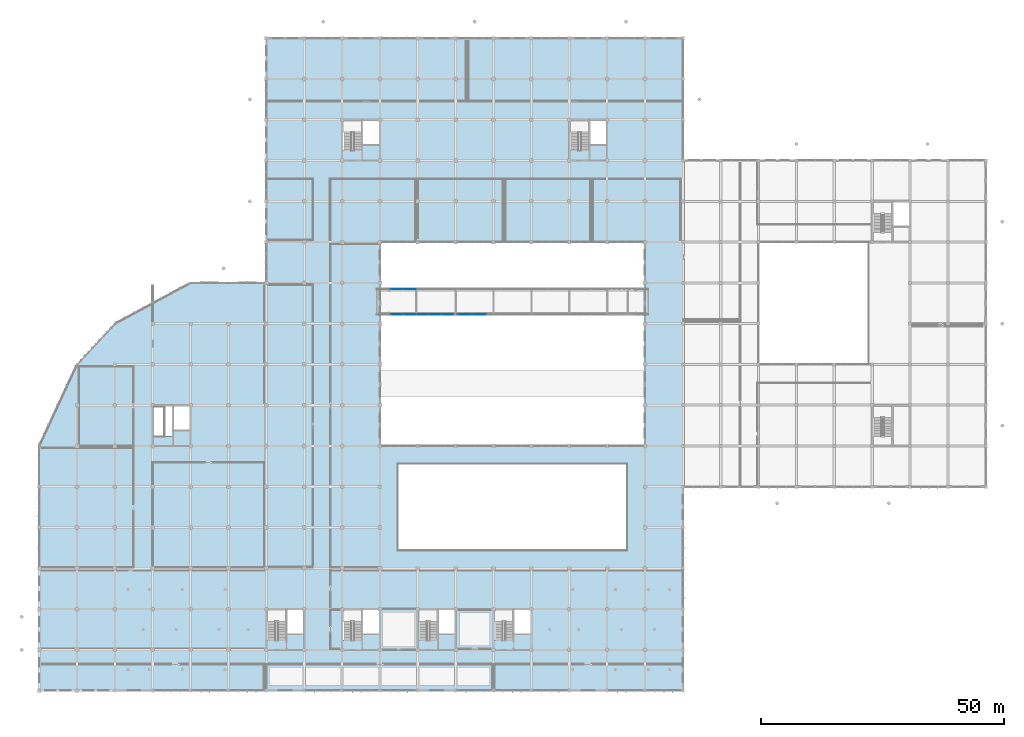
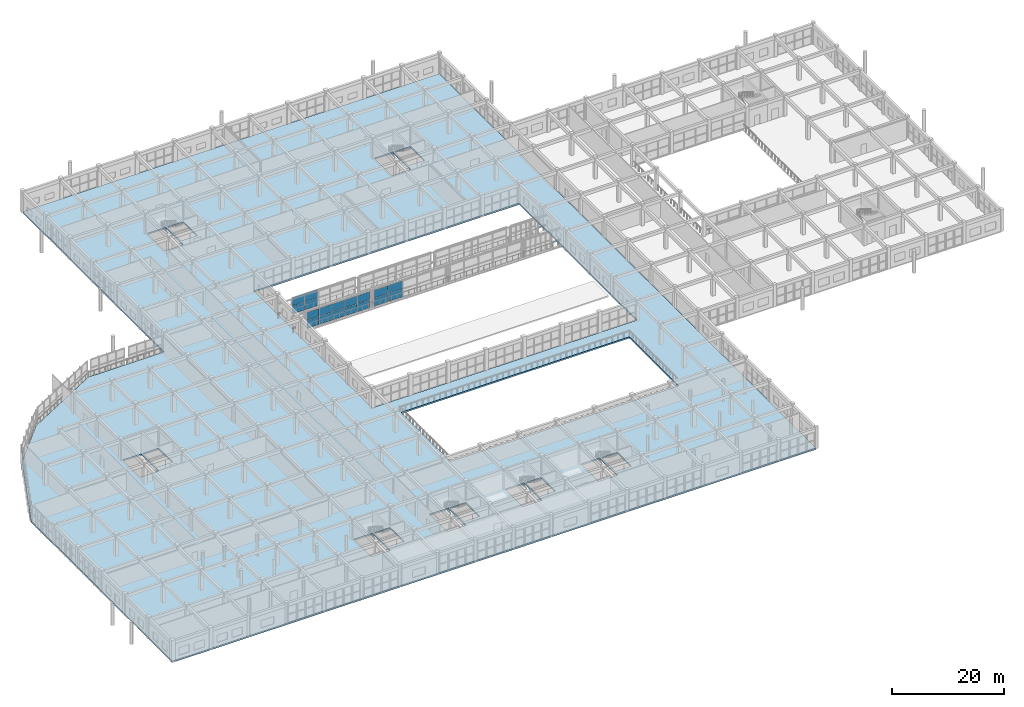
# One storey, part 136 of 167: 18 plates, 1 slab, 3 elements without a shape of their own.
"""IFC4 building model written with IfcOpenShell, lengths in metres."""

from ifc_helpers import new_model, si_unit, direction, frame, origin, origin_2d, place, context, subcontext, project, spatial, polyline, rectangle, outline, extrude, material, layer, layer_set, type_object, element, aggregate, save


model = new_model("IFC4")

# Units and contexts
model_context = context("Model", 3, precision=1e-05, world=origin(), true_north=direction((0.0, 1.0)))
body_context = subcontext(model_context, "Body", "Model", "MODEL_VIEW")
ifc_project = project(units=[si_unit("LENGTHUNIT", "METRE"), si_unit("AREAUNIT", "SQUARE_METRE"), si_unit("VOLUMEUNIT", "CUBIC_METRE"), si_unit("PLANEANGLEUNIT", "RADIAN"), si_unit("MASSUNIT", "GRAM", prefix="KILO")], contexts=[model_context])

# Site, building, storey
site_placement = place(None, origin())
site = spatial("IfcSite", under=ifc_project, at=site_placement, CompositionType="ELEMENT")
building_placement = place(site_placement, origin())
building = spatial("IfcBuilding", under=site, at=building_placement, Name="Zizhar Promenade General Hospital", CompositionType="ELEMENT")
storey_placement = place(building_placement, frame((0.0, 0.0, 9.60009765625)))
storey = spatial("IfcBuildingStorey", under=building, at=storey_placement, Name="L02", CompositionType="ELEMENT", Elevation=9.60009765625)

# Curtain wall, plates
ifc_material_1 = material(Name="Anodised aluminium 6063-T6 and low-E glass", Category="aluminium")
ifc_layer_1 = layer(ifc_material_1, 0.159912109375)
ifc_layer_set_1 = layer_set([ifc_layer_1], Name="Anodised aluminium 6063-T6 and low-E glass")
curtain_wall_type = type_object("IfcCurtainWallType", Name="CW-SKY-GLZ", PredefinedType="NOTDEFINED", material=ifc_layer_set_1)
curtain_wall_1_placement = place(storey_placement, origin())
curtain_wall_1 = element("IfcCurtainWall", 1, at=curtain_wall_1_placement, inside=storey, type_object=curtain_wall_type, Name="Courtyard Surgical-Clinic Skybridge Level L02 South Glazing 1", PredefinedType="NOTDEFINED")
ifc_material_2 = material(Name="Low-E solar-control glass", Category="glass")
ifc_layer_2 = layer(ifc_material_2, 0.031982421875)
ifc_layer_set_2 = layer_set([ifc_layer_2], Name="Low-E solar-control glass")
plate_type = type_object("IfcPlateType", Name="CWP-GLZ-32", PredefinedType="CURTAIN_PANEL", material=ifc_layer_set_2)
plate_1_placement = place(storey_placement, frame((84.0849609375, 77.5, 0.059814453125), z_axis=(0.0, 0.0, 1.0), x_axis=(-1.0, 0.0, 0.0)))
plate_1 = element("IfcPlate", 2, at=plate_1_placement, type_object=plate_type, Name="CW-15 panel 1.1", PredefinedType="CURTAIN_PANEL", context=body_context, shape_type="SweptSolid", body=[
    extrude(rectangle(XDim=2.510009765625, YDim=0.031982421875, at=origin_2d()), origin(), (0.0, 0.0, 1.0), 1.72998046875),
])
plate_2_placement = place(storey_placement, frame((84.0849609375, 77.5, 1.849853515625), z_axis=(0.0, 0.0, 1.0), x_axis=(-1.0, 0.0, 0.0)))
plate_2 = element("IfcPlate", 3, at=plate_2_placement, type_object=plate_type, Name="CW-15 panel 1.2", PredefinedType="CURTAIN_PANEL", context=body_context, shape_type="SweptSolid", body=[
    extrude(rectangle(XDim=2.510009765625, YDim=0.031982421875, at=origin_2d()), origin(), (0.0, 0.0, 1.0), 1.72998046875),
])
plate_3_placement = place(storey_placement, frame((81.5, 77.5, 0.059814453125), z_axis=(0.0, 0.0, 1.0), x_axis=(-1.0, 0.0, 0.0)))
plate_3 = element("IfcPlate", 4, at=plate_3_placement, type_object=plate_type, Name="CW-15 panel 2.1", PredefinedType="CURTAIN_PANEL", context=body_context, shape_type="SweptSolid", body=[
    extrude(rectangle(XDim=2.5400390625, YDim=0.031982421875, at=origin_2d()), origin(), (0.0, 0.0, 1.0), 1.72998046875),
])
plate_4_placement = place(storey_placement, frame((81.5, 77.5, 1.849853515625), z_axis=(0.0, 0.0, 1.0), x_axis=(-1.0, 0.0, 0.0)))
plate_4 = element("IfcPlate", 5, at=plate_4_placement, type_object=plate_type, Name="CW-15 panel 2.2", PredefinedType="CURTAIN_PANEL", context=body_context, shape_type="SweptSolid", body=[
    extrude(rectangle(XDim=2.5400390625, YDim=0.031982421875, at=origin_2d()), origin(), (0.0, 0.0, 1.0), 1.72998046875),
])
plate_5_placement = place(storey_placement, frame((78.89990234375, 77.5, 0.059814453125), z_axis=(0.0, 0.0, 1.0), x_axis=(-1.0, 0.0, 0.0)))
plate_5 = element("IfcPlate", 6, at=plate_5_placement, type_object=plate_type, Name="CW-15 panel 3.1", PredefinedType="CURTAIN_PANEL", context=body_context, shape_type="SweptSolid", body=[
    extrude(rectangle(XDim=2.5400390625, YDim=0.031982421875, at=origin_2d()), origin(), (0.0, 0.0, 1.0), 1.72998046875),
])
plate_6_placement = place(storey_placement, frame((78.89990234375, 77.5, 1.849853515625), z_axis=(0.0, 0.0, 1.0), x_axis=(-1.0, 0.0, 0.0)))
plate_6 = element("IfcPlate", 7, at=plate_6_placement, type_object=plate_type, Name="CW-15 panel 3.2", PredefinedType="CURTAIN_PANEL", context=body_context, shape_type="SweptSolid", body=[
    extrude(rectangle(XDim=2.5400390625, YDim=0.031982421875, at=origin_2d()), origin(), (0.0, 0.0, 1.0), 1.72998046875),
])
plate_7_placement = place(storey_placement, frame((76.300048828125, 77.5, 0.059814453125), z_axis=(0.0, 0.0, 1.0), x_axis=(-1.0, 0.0, 0.0)))
plate_7 = element("IfcPlate", 8, at=plate_7_placement, type_object=plate_type, Name="CW-15 panel 4.1", PredefinedType="CURTAIN_PANEL", context=body_context, shape_type="SweptSolid", body=[
    extrude(rectangle(XDim=2.5400390625, YDim=0.031982421875, at=origin_2d()), origin(), (0.0, 0.0, 1.0), 1.72998046875),
])
plate_8_placement = place(storey_placement, frame((76.300048828125, 77.5, 1.849853515625), z_axis=(0.0, 0.0, 1.0), x_axis=(-1.0, 0.0, 0.0)))
plate_8 = element("IfcPlate", 9, at=plate_8_placement, type_object=plate_type, Name="CW-15 panel 4.2", PredefinedType="CURTAIN_PANEL", context=body_context, shape_type="SweptSolid", body=[
    extrude(rectangle(XDim=2.5400390625, YDim=0.031982421875, at=origin_2d()), origin(), (0.0, 0.0, 1.0), 1.72998046875),
])
plate_9_placement = place(storey_placement, frame((73.715087890625, 77.5, 0.059814453125), z_axis=(0.0, 0.0, 1.0), x_axis=(-1.0, 0.0, 0.0)))
plate_9 = element("IfcPlate", 10, at=plate_9_placement, type_object=plate_type, Name="CW-15 panel 5.1", PredefinedType="CURTAIN_PANEL", context=body_context, shape_type="SweptSolid", body=[
    extrude(rectangle(XDim=2.510009765625, YDim=0.031982421875, at=origin_2d()), origin(), (0.0, 0.0, 1.0), 1.72998046875),
])
plate_10_placement = place(storey_placement, frame((73.715087890625, 77.5, 1.849853515625), z_axis=(0.0, 0.0, 1.0), x_axis=(-1.0, 0.0, 0.0)))
plate_10 = element("IfcPlate", 11, at=plate_10_placement, type_object=plate_type, Name="CW-15 panel 5.2", PredefinedType="CURTAIN_PANEL", context=body_context, shape_type="SweptSolid", body=[
    extrude(rectangle(XDim=2.510009765625, YDim=0.031982421875, at=origin_2d()), origin(), (0.0, 0.0, 1.0), 1.72998046875),
])
aggregate(curtain_wall_1, [plate_1, plate_2, plate_3, plate_4, plate_5, plate_6, plate_7, plate_8, plate_9, plate_10])

curtain_wall_2_placement = place(storey_placement, origin())
curtain_wall_2 = element("IfcCurtainWall", 12, at=curtain_wall_2_placement, inside=storey, type_object=curtain_wall_type, Name="Courtyard Surgical-Clinic Skybridge Level L02 North Glazing 1", PredefinedType="NOTDEFINED")
plate_11_placement = place(storey_placement, frame((73.715087890625, 82.699951171875, 0.059814453125), z_axis=(0.0, 0.0, 1.0), x_axis=(1.0, 0.0, 0.0)))
plate_11 = element("IfcPlate", 13, at=plate_11_placement, type_object=plate_type, Name="CW-15 panel 1.1", PredefinedType="CURTAIN_PANEL", context=body_context, shape_type="SweptSolid", body=[
    extrude(rectangle(XDim=2.510009765625, YDim=0.031982421875, at=origin_2d()), origin(), (0.0, 0.0, 1.0), 1.72998046875),
])
plate_12_placement = place(storey_placement, frame((73.715087890625, 82.699951171875, 1.849853515625), z_axis=(0.0, 0.0, 1.0), x_axis=(1.0, 0.0, 0.0)))
plate_12 = element("IfcPlate", 14, at=plate_12_placement, type_object=plate_type, Name="CW-15 panel 1.2", PredefinedType="CURTAIN_PANEL", context=body_context, shape_type="SweptSolid", body=[
    extrude(rectangle(XDim=2.510009765625, YDim=0.031982421875, at=origin_2d()), origin(), (0.0, 0.0, 1.0), 1.72998046875),
])
plate_13_placement = place(storey_placement, frame((76.300048828125, 82.699951171875, 0.059814453125), z_axis=(0.0, 0.0, 1.0), x_axis=(1.0, 0.0, 0.0)))
plate_13 = element("IfcPlate", 15, at=plate_13_placement, type_object=plate_type, Name="CW-15 panel 2.1", PredefinedType="CURTAIN_PANEL", context=body_context, shape_type="SweptSolid", body=[
    extrude(rectangle(XDim=2.5400390625, YDim=0.031982421875, at=origin_2d()), origin(), (0.0, 0.0, 1.0), 1.72998046875),
])
plate_14_placement = place(storey_placement, frame((76.300048828125, 82.699951171875, 1.849853515625), z_axis=(0.0, 0.0, 1.0), x_axis=(1.0, 0.0, 0.0)))
plate_14 = element("IfcPlate", 16, at=plate_14_placement, type_object=plate_type, Name="CW-15 panel 2.2", PredefinedType="CURTAIN_PANEL", context=body_context, shape_type="SweptSolid", body=[
    extrude(rectangle(XDim=2.5400390625, YDim=0.031982421875, at=origin_2d()), origin(), (0.0, 0.0, 1.0), 1.72998046875),
])
aggregate(curtain_wall_2, [plate_11, plate_12, plate_13, plate_14])

curtain_wall_3_placement = place(storey_placement, origin())
curtain_wall_3 = element("IfcCurtainWall", 17, at=curtain_wall_3_placement, inside=storey, type_object=curtain_wall_type, Name="Courtyard Surgical-Clinic Skybridge Level L02 South Glazing 2", PredefinedType="NOTDEFINED")
plate_15_placement = place(storey_placement, frame((90.639892578125, 77.5, 0.059814453125), z_axis=(0.0, 0.0, 1.0), x_axis=(-1.0, 0.0, 0.0)))
plate_15 = element("IfcPlate", 18, at=plate_15_placement, type_object=plate_type, Name="CW-15 panel 4.1", PredefinedType="CURTAIN_PANEL", context=body_context, shape_type="SweptSolid", body=[
    extrude(rectangle(XDim=2.89990234375, YDim=0.031982421875, at=origin_2d()), origin(), (0.0, 0.0, 1.0), 1.72998046875),
])
plate_16_placement = place(storey_placement, frame((90.639892578125, 77.5, 1.849853515625), z_axis=(0.0, 0.0, 1.0), x_axis=(-1.0, 0.0, 0.0)))
plate_16 = element("IfcPlate", 19, at=plate_16_placement, type_object=plate_type, Name="CW-15 panel 4.2", PredefinedType="CURTAIN_PANEL", context=body_context, shape_type="SweptSolid", body=[
    extrude(rectangle(XDim=2.89990234375, YDim=0.031982421875, at=origin_2d()), origin(), (0.0, 0.0, 1.0), 1.72998046875),
])
plate_17_placement = place(storey_placement, frame((87.695068359375, 77.5, 0.059814453125), z_axis=(0.0, 0.0, 1.0), x_axis=(-1.0, 0.0, 0.0)))
plate_17 = element("IfcPlate", 20, at=plate_17_placement, type_object=plate_type, Name="CW-15 panel 5.1", PredefinedType="CURTAIN_PANEL", context=body_context, shape_type="SweptSolid", body=[
    extrude(rectangle(XDim=2.8701171875, YDim=0.031982421875, at=origin_2d()), origin(), (0.0, 0.0, 1.0), 1.72998046875),
])
plate_18_placement = place(storey_placement, frame((87.695068359375, 77.5, 1.849853515625), z_axis=(0.0, 0.0, 1.0), x_axis=(-1.0, 0.0, 0.0)))
plate_18 = element("IfcPlate", 21, at=plate_18_placement, type_object=plate_type, Name="CW-15 panel 5.2", PredefinedType="CURTAIN_PANEL", context=body_context, shape_type="SweptSolid", body=[
    extrude(rectangle(XDim=2.8701171875, YDim=0.031982421875, at=origin_2d()), origin(), (0.0, 0.0, 1.0), 1.72998046875),
])
aggregate(curtain_wall_3, [plate_15, plate_16, plate_17, plate_18])

# Slab
ifc_material_3 = material(Name="Concrete C35/45", Category="concrete")
ifc_layer_3 = layer(ifc_material_3, 0.320068359375)
ifc_layer_set_3 = layer_set([ifc_layer_3], Name="Concrete C35/45")
slab_type = type_object("IfcSlabType", Name="SLB-FLR-320", PredefinedType="FLOOR", material=ifc_layer_set_3)
slab_placement = place(storey_placement, frame((0.0, 0.0, -0.320068359375)))
element("IfcSlab", 22, at=slab_placement, inside=storey, type_object=slab_type, Name="Level L02 Diagnostic and Surgical Floor Slab", PredefinedType="FLOOR", context=body_context, shape_type="SweptSolid", body=[
    extrude(outline(polyline([(0.0, 0.0), (132.550048828125, 0.0), (132.550048828125, 134.39990234375), (46.800048828125, 134.39990234375), (46.800048828125, 84.0), (31.199951171875, 84.0), (15.60009765625, 75.60009765625), (7.800048828125, 67.199951171875), (0.0, 50.39990234375), (0.0, 0.0)]), holes=[polyline([(70.199951171875, 50.39990234375), (70.199951171875, 92.39990234375), (124.800048828125, 92.39990234375), (124.800048828125, 50.39990234375), (70.199951171875, 50.39990234375)]), polyline([(74.0, 29.0), (74.0, 46.60009765625), (121.0, 46.60009765625), (121.0, 29.0), (74.0, 29.0)]), polyline([(23.580078125, 52.429931640625), (23.580078125, 58.6201171875), (27.47998046875, 58.6201171875), (27.47998046875, 52.429931640625), (23.580078125, 52.429931640625)]), polyline([(27.75, 53.6201171875), (27.75, 58.580078125), (30.97998046875, 58.580078125), (30.97998046875, 53.6201171875), (27.75, 53.6201171875)]), polyline([(46.97998046875, 10.429931640625), (46.97998046875, 16.6201171875), (50.8798828125, 16.6201171875), (50.8798828125, 10.429931640625), (46.97998046875, 10.429931640625)]), polyline([(51.14990234375, 11.6201171875), (51.14990234375, 16.580078125), (54.3798828125, 16.580078125), (54.3798828125, 11.6201171875), (51.14990234375, 11.6201171875)]), polyline([(62.580078125, 10.429931640625), (62.580078125, 16.6201171875), (66.47998046875, 16.6201171875), (66.47998046875, 10.429931640625), (62.580078125, 10.429931640625)]), polyline([(66.75, 11.6201171875), (66.75, 16.580078125), (69.97998046875, 16.580078125), (69.97998046875, 11.6201171875), (66.75, 11.6201171875)]), polyline([(78.179931640625, 10.429931640625), (78.179931640625, 16.6201171875), (82.080078125, 16.6201171875), (82.080078125, 10.429931640625), (78.179931640625, 10.429931640625)]), polyline([(82.35009765625, 11.6201171875), (82.35009765625, 16.580078125), (85.580078125, 16.580078125), (85.580078125, 11.6201171875), (82.35009765625, 11.6201171875)]), polyline([(93.780029296875, 10.429931640625), (93.780029296875, 16.6201171875), (97.679931640625, 16.6201171875), (97.679931640625, 10.429931640625), (93.780029296875, 10.429931640625)]), polyline([(97.949951171875, 11.6201171875), (97.949951171875, 16.580078125), (101.179931640625, 16.580078125), (101.179931640625, 11.6201171875), (97.949951171875, 11.6201171875)]), polyline([(62.580078125, 111.22998046875), (62.580078125, 117.419921875), (66.47998046875, 117.419921875), (66.47998046875, 111.22998046875), (62.580078125, 111.22998046875)]), polyline([(66.75, 112.419921875), (66.75, 117.3798828125), (69.97998046875, 117.3798828125), (69.97998046875, 112.419921875), (66.75, 112.419921875)]), polyline([(109.3798828125, 111.22998046875), (109.3798828125, 117.419921875), (113.280029296875, 117.419921875), (113.280029296875, 111.22998046875), (109.3798828125, 111.22998046875)]), polyline([(113.550048828125, 112.419921875), (113.550048828125, 117.3798828125), (116.780029296875, 117.3798828125), (116.780029296875, 112.419921875), (113.550048828125, 112.419921875)])]), origin(), (0.0, 0.0, 1.0), 0.320068359375),
])

save(model, "model.ifc")
